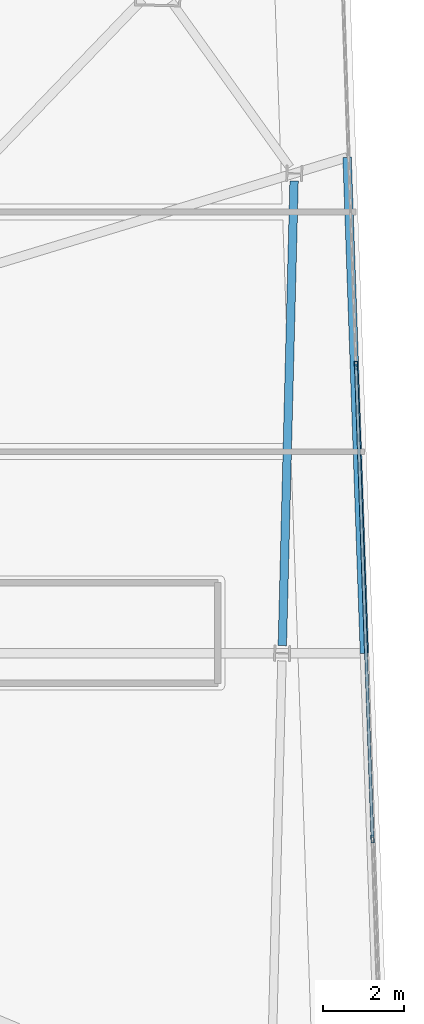
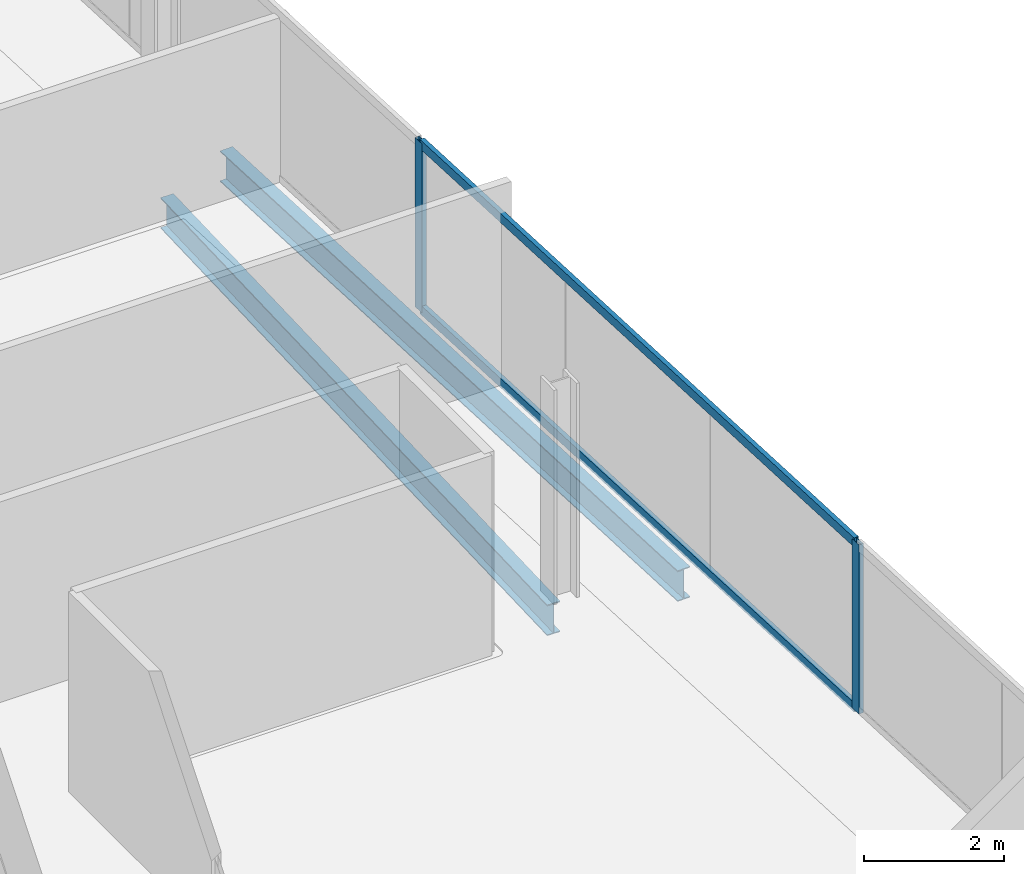
# One storey, part 10 of 23: 4 members, 2 beams, 1 element without a shape of its own.
"""IFC4 building model written with IfcOpenShell, lengths in metres."""

from ifc_helpers import new_model, si_unit, direction, frame, origin, origin_2d, place, context, subcontext, project, spatial, hollow_rectangle, i_section, extrude, material, material_profile, profile_set, type_object, element, aggregate, save


model = new_model("IFC4")

# Units and contexts
model_context = context("Model", 3, precision=1e-05, world=origin(), true_north=direction((0.0, 1.0)))
body_context = subcontext(model_context, "Body", "Model", "MODEL_VIEW")
ifc_project = project(units=[si_unit("LENGTHUNIT", "METRE"), si_unit("AREAUNIT", "SQUARE_METRE"), si_unit("VOLUMEUNIT", "CUBIC_METRE"), si_unit("PLANEANGLEUNIT", "RADIAN"), si_unit("MASSUNIT", "GRAM", prefix="KILO")], contexts=[model_context])

# Site, building, storey
site_placement = place(None, origin())
site = spatial("IfcSite", under=ifc_project, at=site_placement, CompositionType="ELEMENT")
building_placement = place(site_placement, origin())
building = spatial("IfcBuilding", under=site, at=building_placement, Name="Haldenkirk Collegiate Tower", CompositionType="ELEMENT")
storey_placement = place(building_placement, frame((0.0, 0.0, 336.449951171875)))
storey = spatial("IfcBuildingStorey", under=building, at=storey_placement, Name="L85", CompositionType="ELEMENT", Elevation=336.449951171875)

# Beams
ifc_material_1 = material(Name="Steel ASTM A992 Grade 50", Category="steel")
ifc_material_profile_1 = material_profile(ifc_material_1, i_section(OverallWidth=0.2099609375, OverallDepth=0.537109375, WebThickness=0.010986328125, FlangeThickness=0.017333984375, at=origin_2d()), Name="W21X68")
ifc_profile_set_1 = profile_set([ifc_material_profile_1], Name="Steel ASTM A992 Grade 50")
beam_type = type_object("IfcBeamType", Name="BM-SPANDREL-W21X68", PredefinedType="SPANDREL", material=ifc_profile_set_1)
beam_1_placement = place(storey_placement, frame((55.8984375, 25.684326171875, -0.528564453125), z_axis=(0.025302458902, 0.999679841536, 0.0), x_axis=(-0.999679841536, 0.025302458902, 0.0)))
element("IfcBeam", 1, at=beam_1_placement, inside=storey, type_object=beam_type, Name="L85 perimeter spandrel beam 03", PredefinedType="SPANDREL", context=body_context, shape_type="SweptSolid", body=[
    extrude(i_section(OverallWidth=0.2099609375, OverallDepth=0.537109375, WebThickness=0.010986328125, FlangeThickness=0.017333984375, at=origin_2d()), origin(), (0.0, 0.0, 1.0), 11.5400390625),
])
beam_2_placement = place(storey_placement, frame((57.935791015625, 25.496337890625, -0.528564453125), z_axis=(-0.034880699041, 0.999391483271, 0.0), x_axis=(-0.999391483271, -0.034880699041, 0.0)))
element("IfcBeam", 2, at=beam_2_placement, inside=storey, type_object=beam_type, Name="L85 outer facade edge beam 1B", PredefinedType="SPANDREL", context=body_context, shape_type="SweptSolid", body=[
    extrude(i_section(OverallWidth=0.2099609375, OverallDepth=0.537109375, WebThickness=0.010986328125, FlangeThickness=0.017333984375, at=origin_2d()), origin(), (0.0, 0.0, 1.0), 12.31884765625),
])

# Curtain wall, members
ifc_material_2 = material(Name="Anodised architectural bronze aluminium", Category="aluminium")
curtain_wall_type = type_object("IfcCurtainWallType", Name="CW-SYS2-CONCAVE", PredefinedType="USERDEFINED", material=ifc_material_2)
curtain_wall_placement = place(storey_placement, origin())
curtain_wall = element("IfcCurtainWall", 3, at=curtain_wall_placement, inside=storey, type_object=curtain_wall_type, Name="L85 South concave recessed bronze-anodised curtain wall", ObjectType="UNITISED CURTAIN WALL", PredefinedType="USERDEFINED")
ifc_material_profile_2 = material_profile(ifc_material_2, hollow_rectangle(XDim=0.074951171875, YDim=0.18994140625, WallThickness=0.0048828125, at=origin_2d()), Name="CW-MUL-02")
ifc_profile_set_2 = profile_set([ifc_material_profile_2], Name="Anodised architectural bronze aluminium")
member_type_1 = type_object("IfcMemberType", Name="CW-MUL-02", PredefinedType="MULLION", material=ifc_profile_set_2)
member_1_placement = place(storey_placement, frame((57.726318359375, 32.645751953125, 0.0), z_axis=(0.0, 0.0, 1.0), x_axis=(0.999390776503, 0.034900943257, 0.0)))
member_1 = element("IfcMember", 4, at=member_1_placement, type_object=member_type_1, Name="CW-02 mullion 2", PredefinedType="MULLION", context=body_context, shape_type="SweptSolid", body=[
    extrude(hollow_rectangle(XDim=0.074951171875, YDim=0.18994140625, WallThickness=0.0048828125, at=origin_2d()), origin(), (0.0, 0.0, 1.0), 2.947998046875),
])
member_2_placement = place(storey_placement, frame((58.136962890625, 20.88623046875, 0.0), z_axis=(0.0, 0.0, 1.0), x_axis=(0.999390776503, 0.034900943257, 0.0)))
member_2 = element("IfcMember", 5, at=member_2_placement, type_object=member_type_1, Name="CW-02 mullion 3", PredefinedType="MULLION", context=body_context, shape_type="SweptSolid", body=[
    extrude(hollow_rectangle(XDim=0.074951171875, YDim=0.18994140625, WallThickness=0.0048828125, at=origin_2d()), origin(), (0.0, 0.0, 1.0), 2.947998046875),
])
ifc_material_profile_3 = material_profile(ifc_material_2, hollow_rectangle(XDim=0.074951171875, YDim=0.159912109375, WallThickness=0.0048828125, at=origin_2d()), Name="CW-TRN-02")
ifc_profile_set_3 = profile_set([ifc_material_profile_3], Name="Anodised architectural bronze aluminium")
member_type_2 = type_object("IfcMemberType", Name="CW-TRN-02", PredefinedType="USERDEFINED", material=ifc_profile_set_3)
member_3_placement = place(storey_placement, frame((57.7275390625, 32.608154296875, 0.03759765625), z_axis=(0.034913928541, -0.999390322944, 0.0), x_axis=(0.999390322944, 0.034913928541, 0.0)))
member_3 = element("IfcMember", 6, at=member_3_placement, type_object=member_type_2, Name="CW-02 transom 2.1", ObjectType="TRANSOM", PredefinedType="USERDEFINED", context=body_context, shape_type="SweptSolid", body=[
    extrude(hollow_rectangle(XDim=0.074951171875, YDim=0.159912109375, WallThickness=0.0048828125, at=origin_2d()), origin(), (0.0, 0.0, 1.0), 11.691650390625),
])
member_4_placement = place(storey_placement, frame((57.7275390625, 32.608154296875, 2.91064453125), z_axis=(0.034913928541, -0.999390322944, 0.0), x_axis=(0.999390322944, 0.034913928541, 0.0)))
member_4 = element("IfcMember", 7, at=member_4_placement, type_object=member_type_2, Name="CW-02 transom 2.2", ObjectType="TRANSOM", PredefinedType="USERDEFINED", context=body_context, shape_type="SweptSolid", body=[
    extrude(hollow_rectangle(XDim=0.074951171875, YDim=0.159912109375, WallThickness=0.0048828125, at=origin_2d()), origin(), (0.0, 0.0, 1.0), 11.691650390625),
])
aggregate(curtain_wall, [member_1, member_2, member_3, member_4])

save(model, "model.ifc")
